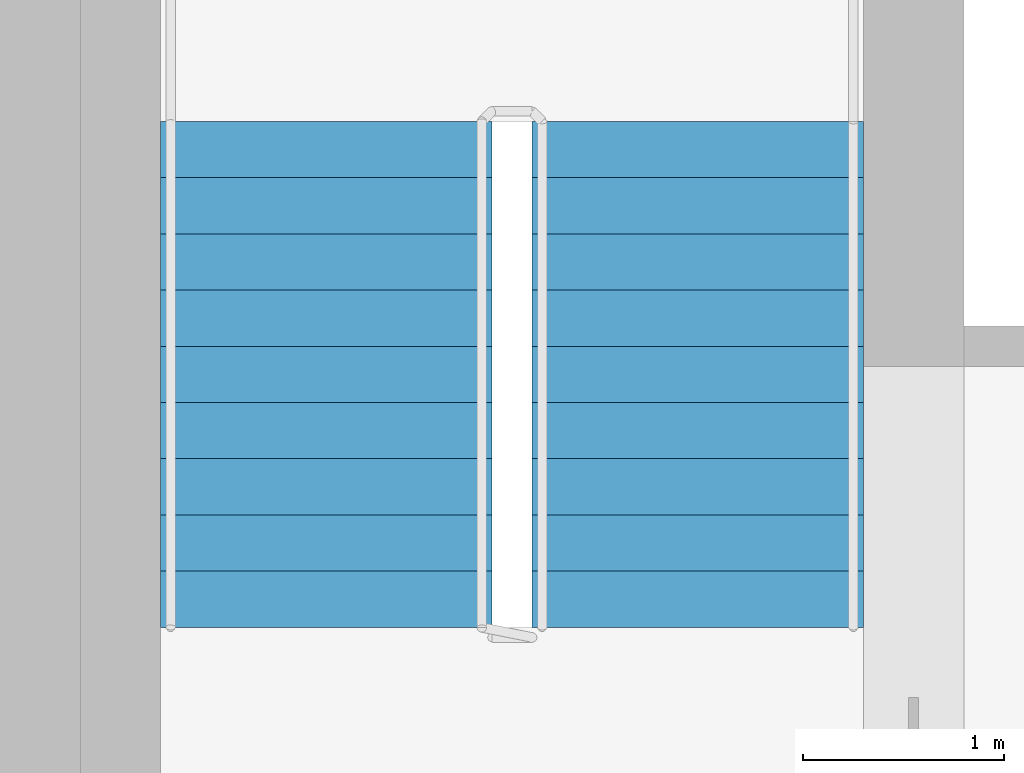
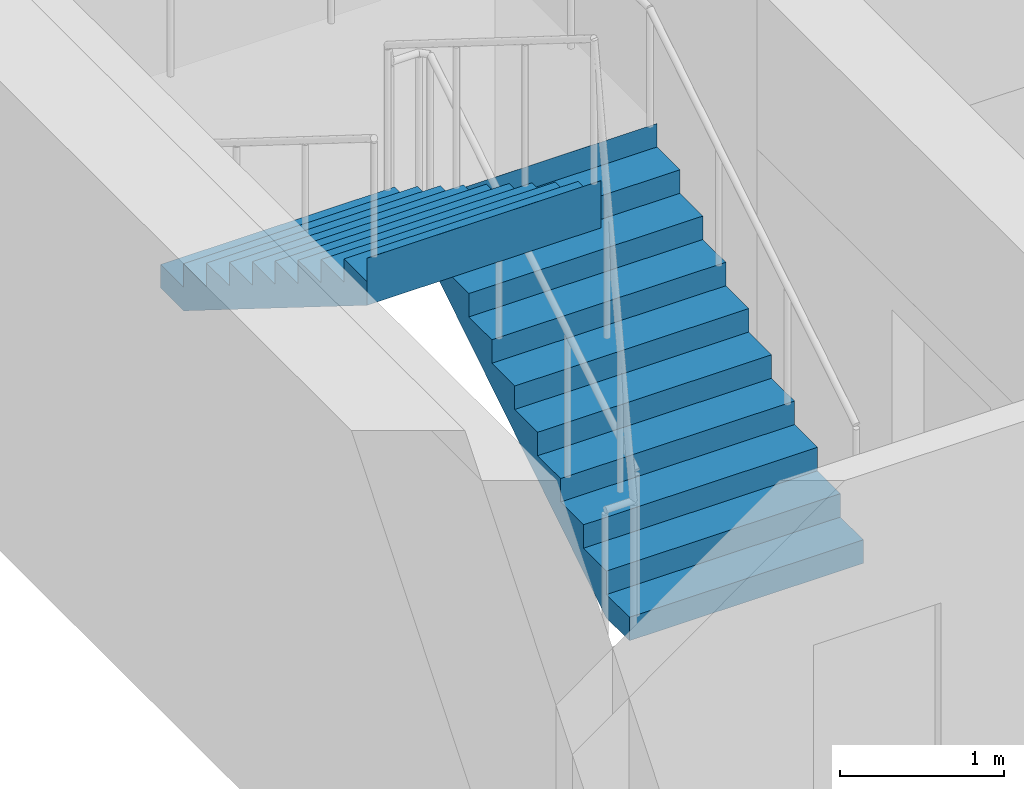
# One storey, part 10 of 11: 2 stair flights, 1 element without a shape of its own.
"""IFC4 building model written with IfcOpenShell, lengths in metres."""

from ifc_helpers import new_model, si_unit, direction, frame, origin, place, context, subcontext, project, spatial, polyline, outline, extrude, material, type_object, element, aggregate, save


model = new_model("IFC4")

# Units and contexts
model_context = context("Model", 3, precision=1e-05, world=origin(), true_north=direction((0.0, 1.0)))
body_context = subcontext(model_context, "Body", "Model", "MODEL_VIEW")
ifc_project = project(units=[si_unit("LENGTHUNIT", "METRE"), si_unit("AREAUNIT", "SQUARE_METRE"), si_unit("VOLUMEUNIT", "CUBIC_METRE"), si_unit("PLANEANGLEUNIT", "RADIAN"), si_unit("MASSUNIT", "GRAM", prefix="KILO")], contexts=[model_context])

# Site, building, storey
site_placement = place(None, origin())
site = spatial("IfcSite", under=ifc_project, at=site_placement, CompositionType="ELEMENT")
building_placement = place(site_placement, origin())
building = spatial("IfcBuilding", under=site, at=building_placement, Name="Tamorin Gate", CompositionType="ELEMENT")
storey_placement = place(building_placement, frame((0.0, 0.0, 247.699951171875)))
storey = spatial("IfcBuildingStorey", under=building, at=storey_placement, Name="L62", CompositionType="ELEMENT", Elevation=247.699951171875)

# Stair, stair flights
ifc_material = material(Name="Concrete C40/50", Category="concrete")
stair_type = type_object("IfcStairType", Name="Exit stair", PredefinedType="HALF_TURN_STAIR", material=ifc_material)
stair_placement = place(storey_placement, origin())
stair = element("IfcStair", 1, at=stair_placement, inside=storey, type_object=stair_type, Name="L62 stair ST2", PredefinedType="HALF_TURN_STAIR")
stair_flight_type = type_object("IfcStairFlightType", Name="Exit stair flight", PredefinedType="STRAIGHT", material=ifc_material)
stair_flight_1_placement = place(storey_placement, frame((33.675048828125, 77.0, 0.0), z_axis=(0.0, 0.0, 1.0), x_axis=(0.0, 1.0, 0.0)))
stair_flight_1 = element("IfcStairFlight", 2, at=stair_flight_1_placement, type_object=stair_flight_type, Name="ST2 flight 1", NumberOfRisers=10, NumberOfTreads=9, PredefinedType="STRAIGHT", RiserHeight=0.175, TreadLength=0.28, context=body_context, shape_type="SweptSolid", body=[
    extrude(outline(polyline([(-0.00048828125, 0.0), (-0.00048828125, 0.001708984375), (-0.00048828125, 0.00341796875), (-0.00048828125, 0.005126953125), (-0.00048828125, 0.0068359375), (-0.00048828125, 0.008544921875), (-0.00048828125, 0.010498046875), (-0.00048828125, 0.01220703125), (-0.00048828125, 0.013916015625), (-0.00048828125, 0.015625), (-0.00048828125, 0.017333984375), (-0.00048828125, 0.01904296875), (-0.00048828125, 0.020751953125), (-0.00048828125, 0.0224609375), (-0.00048828125, 0.024169921875), (-0.00048828125, 0.02587890625), (-0.00048828125, 0.02783203125), (-0.00048828125, 0.029541015625), (-0.00048828125, 0.03125), (-0.00048828125, 0.032958984375), (-0.00048828125, 0.03466796875), (-0.00048828125, 0.036376953125), (-0.00048828125, 0.0380859375), (-0.00048828125, 0.039794921875), (-0.00048828125, 0.04150390625), (-0.00048828125, 0.043212890625), (-0.00048828125, 0.045166015625), (-0.00048828125, 0.046875), (-0.00048828125, 0.048583984375), (-0.00048828125, 0.05029296875), (-0.00048828125, 0.052001953125), (-0.00048828125, 0.0537109375), (-0.00048828125, 0.055419921875), (-0.00048828125, 0.05712890625), (-0.00048828125, 0.058837890625), (-0.00048828125, 0.060546875), (-0.00048828125, 0.062255859375), (-0.00048828125, 0.064208984375), (-0.00048828125, 0.06591796875), (-0.00048828125, 0.067626953125), (-0.00048828125, 0.0693359375), (-0.00048828125, 0.071044921875), (-0.00048828125, 0.07275390625), (-0.00048828125, 0.074462890625), (-0.00048828125, 0.076171875), (-0.00048828125, 0.077880859375), (-0.00048828125, 0.07958984375), (-0.00048828125, 0.08154296875), (-0.00048828125, 0.083251953125), (-0.00048828125, 0.0849609375), (-0.00048828125, 0.086669921875), (-0.00048828125, 0.08837890625), (-0.00048828125, 0.090087890625), (-0.00048828125, 0.091796875), (-0.00048828125, 0.093505859375), (-0.00048828125, 0.09521484375), (-0.00048828125, 0.096923828125), (-0.00048828125, 0.098876953125), (-0.00048828125, 0.1005859375), (-0.00048828125, 0.102294921875), (-0.00048828125, 0.10400390625), (-0.00048828125, 0.105712890625), (-0.00048828125, 0.107421875), (-0.00048828125, 0.109130859375), (-0.00048828125, 0.11083984375), (-0.00048828125, 0.112548828125), (-0.00048828125, 0.1142578125), (-0.00048828125, 0.1162109375), (-0.00048828125, 0.117919921875), (-0.00048828125, 0.11962890625), (-0.00048828125, 0.121337890625), (-0.00048828125, 0.123046875), (-0.00048828125, 0.124755859375), (-0.00048828125, 0.12646484375), (-0.00048828125, 0.128173828125), (-0.00048828125, 0.1298828125), (-0.00048828125, 0.131591796875), (-0.00048828125, 0.13330078125), (-0.00048828125, 0.13525390625), (-0.00048828125, 0.136962890625), (-0.00048828125, 0.138671875), (-0.00048828125, 0.140380859375), (-0.00048828125, 0.14208984375), (-0.00048828125, 0.143798828125), (-0.00048828125, 0.1455078125), (-0.00048828125, 0.147216796875), (-0.00048828125, 0.14892578125), (-0.00048828125, 0.150634765625), (-0.00048828125, 0.152587890625), (-0.00048828125, 0.154296875), (-0.00048828125, 0.156005859375), (-0.00048828125, 0.15771484375), (-0.00048828125, 0.159423828125), (-0.00048828125, 0.1611328125), (-0.00048828125, 0.162841796875), (-0.00048828125, 0.16455078125), (-0.00048828125, 0.166259765625), (-0.00048828125, 0.16796875), (-0.00048828125, 0.169921875), (-0.00048828125, 0.171630859375), (-0.00048828125, 0.17333984375), (-0.00048828125, 0.175048828125), (0.280029296875, 0.175048828125), (0.280029296875, 0.35009765625), (0.56005859375, 0.35009765625), (0.56005859375, 0.52490234375), (0.840087890625, 0.52490234375), (0.840087890625, 0.699951171875), (1.1201171875, 0.699951171875), (1.1201171875, 0.875), (1.39990234375, 0.875), (1.39990234375, 1.050048828125), (1.679931640625, 1.050048828125), (1.679931640625, 1.22509765625), (1.9599609375, 1.22509765625), (1.9599609375, 1.39990234375), (2.239990234375, 1.39990234375), (2.239990234375, 1.574951171875), (2.52001953125, 1.574951171875), (2.52001953125, 1.75), (2.5205078125, 1.75), (2.5205078125, 1.74658203125), (2.5205078125, 1.742919921875), (2.5205078125, 1.739501953125), (2.5205078125, 1.736083984375), (2.5205078125, 1.732666015625), (2.5205078125, 1.72900390625), (2.5205078125, 1.7255859375), (2.5205078125, 1.72216796875), (2.5205078125, 1.71875), (2.5205078125, 1.715087890625), (2.5205078125, 1.711669921875), (2.5205078125, 1.708251953125), (2.5205078125, 1.704833984375), (2.5205078125, 1.701171875), (2.5205078125, 1.69775390625), (2.5205078125, 1.6943359375), (2.5205078125, 1.690673828125), (2.5205078125, 1.687255859375), (2.5205078125, 1.683837890625), (2.5205078125, 1.680419921875), (2.5205078125, 1.6767578125), (2.5205078125, 1.67333984375), (2.5205078125, 1.669921875), (2.5205078125, 1.66650390625), (2.5205078125, 1.662841796875), (2.5205078125, 1.659423828125), (2.5205078125, 1.656005859375), (2.5205078125, 1.652587890625), (2.5205078125, 1.64892578125), (2.5205078125, 1.6455078125), (2.5205078125, 1.64208984375), (2.5205078125, 1.638427734375), (2.5205078125, 1.635009765625), (2.5205078125, 1.631591796875), (2.5205078125, 1.628173828125), (2.5205078125, 1.62451171875), (2.5205078125, 1.62109375), (2.5205078125, 1.61767578125), (2.5205078125, 1.6142578125), (2.5205078125, 1.610595703125), (2.5205078125, 1.607177734375), (2.5205078125, 1.603759765625), (2.5205078125, 1.600341796875), (2.5205078125, 1.5966796875), (2.5205078125, 1.59326171875), (2.5205078125, 1.58984375), (2.5205078125, 1.58642578125), (2.5205078125, 1.582763671875), (2.5205078125, 1.579345703125), (2.5205078125, 1.575927734375), (2.5205078125, 1.572265625), (2.5205078125, 1.56884765625), (2.5205078125, 1.5654296875), (2.5205078125, 1.56201171875), (2.5205078125, 1.558349609375), (2.5205078125, 1.554931640625), (2.5205078125, 1.551513671875), (2.5205078125, 1.548095703125), (2.5205078125, 1.54443359375), (2.5205078125, 1.541015625), (2.5205078125, 1.53759765625), (2.5205078125, 1.5341796875), (2.5205078125, 1.530517578125), (2.5205078125, 1.527099609375), (2.5205078125, 1.523681640625), (2.5205078125, 1.52001953125), (2.5205078125, 1.5166015625), (2.5205078125, 1.51318359375), (2.5205078125, 1.509765625), (2.5205078125, 1.506103515625), (2.5205078125, 1.502685546875), (2.5205078125, 1.499267578125), (2.5205078125, 1.495849609375), (2.5205078125, 1.4921875), (2.5205078125, 1.48876953125), (2.5205078125, 1.4853515625), (2.5205078125, 1.48193359375), (2.5205078125, 1.478271484375), (2.5205078125, 1.474853515625), (2.5205078125, 1.471435546875), (2.5205078125, 1.4677734375), (2.5205078125, 1.46435546875), (2.5205078125, 1.4609375), (2.5205078125, 1.45751953125), (2.5205078125, 1.453857421875), (2.5205078125, 1.450439453125), (2.5205078125, 1.447021484375), (2.5205078125, 1.443603515625), (2.5205078125, 1.43994140625), (2.5205078125, 1.4365234375), (2.5205078125, 1.43310546875), (2.5205078125, 1.4296875), (2.5205078125, 1.426025390625), (2.5205078125, 1.422607421875), (2.5205078125, 1.419189453125), (2.5205078125, 1.41552734375), (2.5205078125, 1.412109375), (2.5205078125, 1.40869140625), (2.5205078125, 1.4052734375), (2.5205078125, 1.401611328125), (2.5205078125, 1.398193359375), (2.52001953125, 1.398193359375), (0.28271484375, 0.0), (-0.00048828125, 0.0)])), frame((0.0, 0.824951171875, 0.0), z_axis=(0.0, -1.0, 0.0), x_axis=(1.0, 0.0, 0.0)), (0.0, 0.0, 1.0), 1.64990234375),
])
stair_flight_2_placement = place(storey_placement, frame((31.824951171875, 79.52001953125, 1.75), z_axis=(0.0, 0.0, 1.0), x_axis=(0.0, -1.0, 0.0)))
stair_flight_2 = element("IfcStairFlight", 3, at=stair_flight_2_placement, type_object=stair_flight_type, Name="ST2 flight 2", NumberOfRisers=10, NumberOfTreads=9, PredefinedType="STRAIGHT", RiserHeight=0.175, TreadLength=0.28, context=body_context, shape_type="SweptSolid", body=[
    extrude(outline(polyline([(-0.00048828125, 0.0), (-0.00048828125, 0.001708984375), (-0.00048828125, 0.00341796875), (-0.00048828125, 0.005126953125), (-0.00048828125, 0.0068359375), (-0.00048828125, 0.008544921875), (-0.00048828125, 0.010498046875), (-0.00048828125, 0.01220703125), (-0.00048828125, 0.013916015625), (-0.00048828125, 0.015625), (-0.00048828125, 0.017333984375), (-0.00048828125, 0.01904296875), (-0.00048828125, 0.020751953125), (-0.00048828125, 0.0224609375), (-0.00048828125, 0.024169921875), (-0.00048828125, 0.02587890625), (-0.00048828125, 0.02783203125), (-0.00048828125, 0.029541015625), (-0.00048828125, 0.03125), (-0.00048828125, 0.032958984375), (-0.00048828125, 0.03466796875), (-0.00048828125, 0.036376953125), (-0.00048828125, 0.0380859375), (-0.00048828125, 0.039794921875), (-0.00048828125, 0.04150390625), (-0.00048828125, 0.043212890625), (-0.00048828125, 0.045166015625), (-0.00048828125, 0.046875), (-0.00048828125, 0.048583984375), (-0.00048828125, 0.05029296875), (-0.00048828125, 0.052001953125), (-0.00048828125, 0.0537109375), (-0.00048828125, 0.055419921875), (-0.00048828125, 0.05712890625), (-0.00048828125, 0.058837890625), (-0.00048828125, 0.060546875), (-0.00048828125, 0.062255859375), (-0.00048828125, 0.064208984375), (-0.00048828125, 0.06591796875), (-0.00048828125, 0.067626953125), (-0.00048828125, 0.0693359375), (-0.00048828125, 0.071044921875), (-0.00048828125, 0.07275390625), (-0.00048828125, 0.074462890625), (-0.00048828125, 0.076171875), (-0.00048828125, 0.077880859375), (-0.00048828125, 0.07958984375), (-0.00048828125, 0.08154296875), (-0.00048828125, 0.083251953125), (-0.00048828125, 0.0849609375), (-0.00048828125, 0.086669921875), (-0.00048828125, 0.08837890625), (-0.00048828125, 0.090087890625), (-0.00048828125, 0.091796875), (-0.00048828125, 0.093505859375), (-0.00048828125, 0.09521484375), (-0.00048828125, 0.096923828125), (-0.00048828125, 0.098876953125), (-0.00048828125, 0.1005859375), (-0.00048828125, 0.102294921875), (-0.00048828125, 0.10400390625), (-0.00048828125, 0.105712890625), (-0.00048828125, 0.107421875), (-0.00048828125, 0.109130859375), (-0.00048828125, 0.11083984375), (-0.00048828125, 0.112548828125), (-0.00048828125, 0.1142578125), (-0.00048828125, 0.1162109375), (-0.00048828125, 0.117919921875), (-0.00048828125, 0.11962890625), (-0.00048828125, 0.121337890625), (-0.00048828125, 0.123046875), (-0.00048828125, 0.124755859375), (-0.00048828125, 0.12646484375), (-0.00048828125, 0.128173828125), (-0.00048828125, 0.1298828125), (-0.00048828125, 0.131591796875), (-0.00048828125, 0.13330078125), (-0.00048828125, 0.13525390625), (-0.00048828125, 0.136962890625), (-0.00048828125, 0.138671875), (-0.00048828125, 0.140380859375), (-0.00048828125, 0.14208984375), (-0.00048828125, 0.143798828125), (-0.00048828125, 0.1455078125), (-0.00048828125, 0.147216796875), (-0.00048828125, 0.14892578125), (-0.00048828125, 0.150634765625), (-0.00048828125, 0.152587890625), (-0.00048828125, 0.154296875), (-0.00048828125, 0.156005859375), (-0.00048828125, 0.15771484375), (-0.00048828125, 0.159423828125), (-0.00048828125, 0.1611328125), (-0.00048828125, 0.162841796875), (-0.00048828125, 0.16455078125), (-0.00048828125, 0.166259765625), (-0.00048828125, 0.16796875), (-0.00048828125, 0.169921875), (-0.00048828125, 0.171630859375), (-0.00048828125, 0.17333984375), (-0.00048828125, 0.175048828125), (0.280029296875, 0.175048828125), (0.280029296875, 0.35009765625), (0.56005859375, 0.35009765625), (0.56005859375, 0.52490234375), (0.840087890625, 0.52490234375), (0.840087890625, 0.699951171875), (1.1201171875, 0.699951171875), (1.1201171875, 0.875), (1.39990234375, 0.875), (1.39990234375, 1.050048828125), (1.679931640625, 1.050048828125), (1.679931640625, 1.22509765625), (1.9599609375, 1.22509765625), (1.9599609375, 1.39990234375), (2.239990234375, 1.39990234375), (2.239990234375, 1.574951171875), (2.52001953125, 1.574951171875), (2.52001953125, 1.75), (2.5205078125, 1.75), (2.5205078125, 1.74658203125), (2.5205078125, 1.742919921875), (2.5205078125, 1.739501953125), (2.5205078125, 1.736083984375), (2.5205078125, 1.732666015625), (2.5205078125, 1.72900390625), (2.5205078125, 1.7255859375), (2.5205078125, 1.72216796875), (2.5205078125, 1.71875), (2.5205078125, 1.715087890625), (2.5205078125, 1.711669921875), (2.5205078125, 1.708251953125), (2.5205078125, 1.704833984375), (2.5205078125, 1.701171875), (2.5205078125, 1.69775390625), (2.5205078125, 1.6943359375), (2.5205078125, 1.690673828125), (2.5205078125, 1.687255859375), (2.5205078125, 1.683837890625), (2.5205078125, 1.680419921875), (2.5205078125, 1.6767578125), (2.5205078125, 1.67333984375), (2.5205078125, 1.669921875), (2.5205078125, 1.66650390625), (2.5205078125, 1.662841796875), (2.5205078125, 1.659423828125), (2.5205078125, 1.656005859375), (2.5205078125, 1.652587890625), (2.5205078125, 1.64892578125), (2.5205078125, 1.6455078125), (2.5205078125, 1.64208984375), (2.5205078125, 1.638427734375), (2.5205078125, 1.635009765625), (2.5205078125, 1.631591796875), (2.5205078125, 1.628173828125), (2.5205078125, 1.62451171875), (2.5205078125, 1.62109375), (2.5205078125, 1.61767578125), (2.5205078125, 1.6142578125), (2.5205078125, 1.610595703125), (2.5205078125, 1.607177734375), (2.5205078125, 1.603759765625), (2.5205078125, 1.600341796875), (2.5205078125, 1.5966796875), (2.5205078125, 1.59326171875), (2.5205078125, 1.58984375), (2.5205078125, 1.58642578125), (2.5205078125, 1.582763671875), (2.5205078125, 1.579345703125), (2.5205078125, 1.575927734375), (2.5205078125, 1.572265625), (2.5205078125, 1.56884765625), (2.5205078125, 1.5654296875), (2.5205078125, 1.56201171875), (2.5205078125, 1.558349609375), (2.5205078125, 1.554931640625), (2.5205078125, 1.551513671875), (2.5205078125, 1.548095703125), (2.5205078125, 1.54443359375), (2.5205078125, 1.541015625), (2.5205078125, 1.53759765625), (2.5205078125, 1.5341796875), (2.5205078125, 1.530517578125), (2.5205078125, 1.527099609375), (2.5205078125, 1.523681640625), (2.5205078125, 1.52001953125), (2.5205078125, 1.5166015625), (2.5205078125, 1.51318359375), (2.5205078125, 1.509765625), (2.5205078125, 1.506103515625), (2.5205078125, 1.502685546875), (2.5205078125, 1.499267578125), (2.5205078125, 1.495849609375), (2.5205078125, 1.4921875), (2.5205078125, 1.48876953125), (2.5205078125, 1.4853515625), (2.5205078125, 1.48193359375), (2.5205078125, 1.478271484375), (2.5205078125, 1.474853515625), (2.5205078125, 1.471435546875), (2.5205078125, 1.4677734375), (2.5205078125, 1.46435546875), (2.5205078125, 1.4609375), (2.5205078125, 1.45751953125), (2.5205078125, 1.453857421875), (2.5205078125, 1.450439453125), (2.5205078125, 1.447021484375), (2.5205078125, 1.443603515625), (2.5205078125, 1.43994140625), (2.5205078125, 1.4365234375), (2.5205078125, 1.43310546875), (2.5205078125, 1.4296875), (2.5205078125, 1.426025390625), (2.5205078125, 1.422607421875), (2.5205078125, 1.419189453125), (2.5205078125, 1.41552734375), (2.5205078125, 1.412109375), (2.5205078125, 1.40869140625), (2.5205078125, 1.4052734375), (2.5205078125, 1.401611328125), (2.5205078125, 1.398193359375), (2.52001953125, 1.398193359375), (0.28271484375, 0.0), (-0.00048828125, 0.0)])), frame((0.0, 0.824951171875, 0.0), z_axis=(0.0, -1.0, 0.0), x_axis=(1.0, 0.0, 0.0)), (0.0, 0.0, 1.0), 1.64990234375),
])
aggregate(stair, [stair_flight_1, stair_flight_2])

save(model, "model.ifc")
